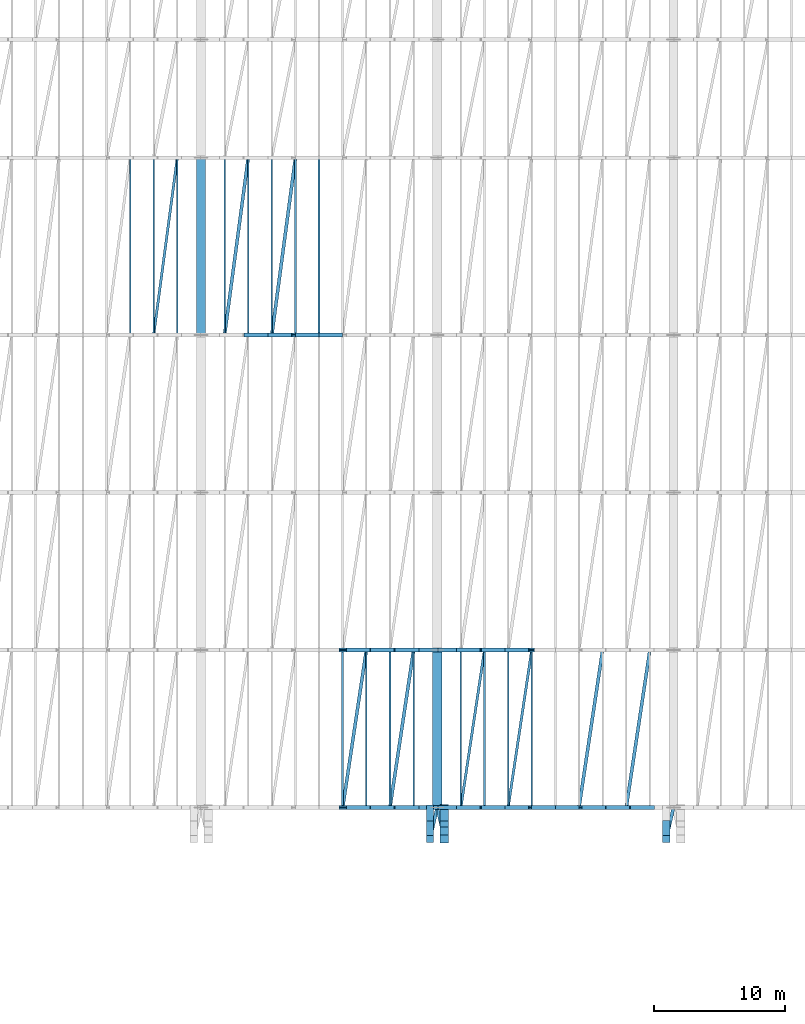
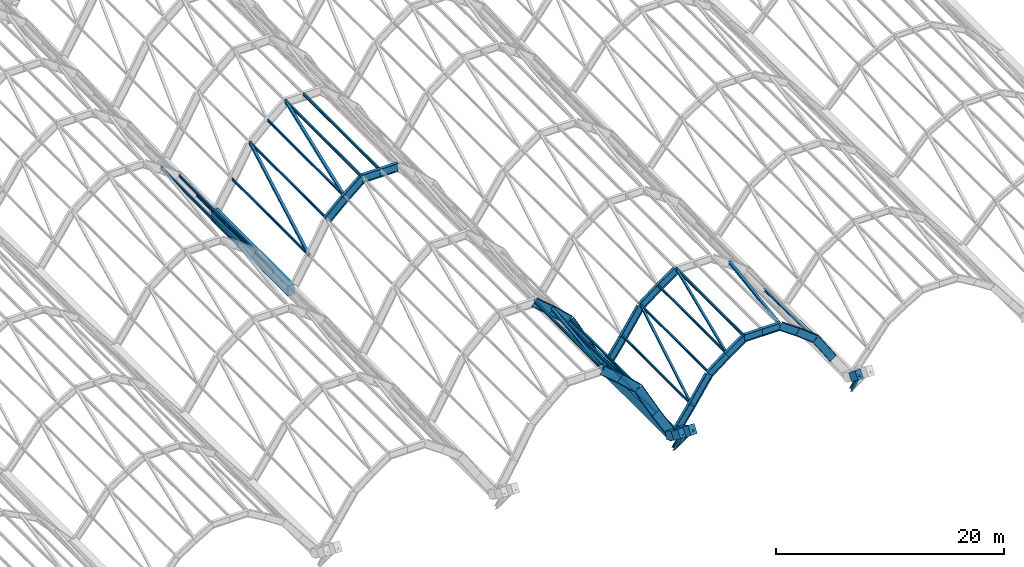
# One storey, part 12 of 86: 32 beams, 28 members.
"""IFC4 building model written with IfcOpenShell, lengths in metres."""

from ifc_helpers import new_model, si_unit, direction, frame, origin, origin_2d, place, context, subcontext, project, spatial, rectangle, i_section, extrude, material, material_profile, profile_set, type_object, element, save


model = new_model("IFC4")

# Units and contexts
model_context = context("Model", 3, precision=1e-05, world=origin(), true_north=direction((0.0, 1.0)))
body_context = subcontext(model_context, "Body", "Model", "MODEL_VIEW")
ifc_project = project(units=[si_unit("LENGTHUNIT", "METRE"), si_unit("AREAUNIT", "SQUARE_METRE"), si_unit("VOLUMEUNIT", "CUBIC_METRE"), si_unit("PLANEANGLEUNIT", "RADIAN"), si_unit("MASSUNIT", "GRAM", prefix="KILO")], contexts=[model_context])

# Site, building, storey
site_placement = place(None, origin())
site = spatial("IfcSite", under=ifc_project, at=site_placement, CompositionType="ELEMENT")
building_placement = place(site_placement, origin())
building = spatial("IfcBuilding", under=site, at=building_placement, Name="Chuanluo Vaults Station", CompositionType="ELEMENT")
storey_placement = place(building_placement, frame((0.0, 0.0, 14.39990234375)))
storey = spatial("IfcBuildingStorey", under=building, at=storey_placement, Name="L03", CompositionType="ELEMENT", Elevation=14.39990234375)

# Beams
ifc_material_1 = material(Name="Concrete C50", Category="concrete")
ifc_material_profile_1 = material_profile(ifc_material_1, rectangle(XDim=0.64990234375, YDim=0.949951171875, at=origin_2d()))
ifc_profile_set_1 = profile_set([ifc_material_profile_1], Name="Concrete C50")
beam_type_1 = type_object("IfcBeamType", Name="BM-CUSP-RC1", PredefinedType="USERDEFINED", material=ifc_profile_set_1)
beam_1_placement = place(storey_placement, frame((72.550048828125, 18.0, -0.5498046875), z_axis=(0.0, -0.872520545396, 0.488577422588), x_axis=(1.0, 0.0, 0.0)))
element("IfcBeam", 1, at=beam_1_placement, inside=storey, type_object=beam_type_1, Name="Vault V5 upturned cusp rib S-W chord 1", ObjectType="GIRDER", PredefinedType="USERDEFINED", context=body_context, shape_type="SweptSolid", body=[
    extrude(rectangle(XDim=0.64990234375, YDim=0.949951171875, at=origin_2d()), origin(), (0.0, 0.0, 1.0), 1.4326171875),
])
beam_2_placement = place(storey_placement, frame((72.550048828125, 16.75, 0.150146484375), z_axis=(0.0, -0.787512057463, 0.61629924497), x_axis=(1.0, 0.0, 0.0)))
element("IfcBeam", 2, at=beam_2_placement, inside=storey, type_object=beam_type_1, Name="Vault V5 upturned cusp rib S-W chord 2", ObjectType="GIRDER", PredefinedType="USERDEFINED", context=body_context, shape_type="SweptSolid", body=[
    extrude(rectangle(XDim=0.64990234375, YDim=0.949951171875, at=origin_2d()), origin(), (0.0, 0.0, 1.0), 1.460205078125),
])
ifc_material_2 = material(Name="Concrete C50", Category="concrete")
ifc_material_profile_2 = material_profile(ifc_material_2, rectangle(XDim=0.550048828125, YDim=0.85009765625, at=origin_2d()))
ifc_profile_set_2 = profile_set([ifc_material_profile_2], Name="Concrete C50")
beam_type_2 = type_object("IfcBeamType", Name="BM-CUSP-RC2", PredefinedType="USERDEFINED", material=ifc_profile_set_2)
beam_3_placement = place(storey_placement, frame((71.449951171875, 18.0, -0.5498046875), z_axis=(0.0, -0.872520545396, 0.488577422588), x_axis=(1.0, 0.0, 0.0)))
element("IfcBeam", 3, at=beam_3_placement, inside=storey, type_object=beam_type_2, Name="Vault V4 upturned cusp rib S-E chord 1", ObjectType="GIRDER", PredefinedType="USERDEFINED", context=body_context, shape_type="SweptSolid", body=[
    extrude(rectangle(XDim=0.550048828125, YDim=0.85009765625, at=origin_2d()), origin(), (0.0, 0.0, 1.0), 1.4326171875),
])
for number, where, z_axis, x_axis, name in (
    (4, (71.449951171875, 16.75, 0.150146484375), (0.0, -0.787512057463, 0.61629924497), (1.0, 0.0, 0.0), "Vault V4 upturned cusp rib S-E chord 2"),
    (5, (89.449951171875, 16.75, 0.150146484375), (0.0, -0.787512057463, 0.61629924497), (1.0, 0.0, 0.0), "Vault V5 upturned cusp rib S-E chord 2"),
):
    element("IfcBeam", number, at=place(storey_placement, frame(where, z_axis=z_axis, x_axis=x_axis)), inside=storey, type_object=beam_type_2, Name=name, ObjectType="GIRDER", PredefinedType="USERDEFINED", context=body_context, shape_type="SweptSolid", body=[
        extrude(rectangle(XDim=0.550048828125, YDim=0.85009765625, at=origin_2d()), origin(), (0.0, 0.0, 1.0), 1.460205078125),
    ])
ifc_material_3 = material(Name="Concrete C50", Category="concrete")
ifc_material_profile_3 = material_profile(ifc_material_3, rectangle(XDim=0.699951171875, YDim=1.10009765625, at=origin_2d()))
ifc_profile_set_3 = profile_set([ifc_material_profile_3], Name="Concrete C50")
beam_type_3 = type_object("IfcBeamType", Name="BM-VAL-RC", PredefinedType="USERDEFINED", material=ifc_profile_set_3)
beam_4_placement = place(storey_placement, frame((54.0, 54.0, -0.7998046875), z_axis=(0.0, 1.0, 0.0), x_axis=(-1.0, 0.0, 0.0)))
element("IfcBeam", 6, at=beam_4_placement, inside=storey, type_object=beam_type_3, Name="Vault springing valley beam X54-4", ObjectType="GIRDER", PredefinedType="USERDEFINED", context=body_context, shape_type="SweptSolid", body=[
    extrude(rectangle(XDim=0.699951171875, YDim=1.10009765625, at=origin_2d()), origin(), (0.0, 0.0, 1.0), 13.5),
])
beam_5_placement = place(storey_placement, frame((72.0, 18.0, -0.7998046875), z_axis=(0.0, 1.0, 0.0), x_axis=(-1.0, 0.0, 0.0)))
element("IfcBeam", 7, at=beam_5_placement, inside=storey, type_object=beam_type_3, Name="Vault springing valley beam X72-1", ObjectType="GIRDER", PredefinedType="USERDEFINED", context=body_context, shape_type="SweptSolid", body=[
    extrude(rectangle(XDim=0.699951171875, YDim=1.10009765625, at=origin_2d()), origin(), (0.0, 0.0, 1.0), 12.0),
])
ifc_material_4 = material(Name="Steel Q355C", Category="steel")
ifc_material_profile_4 = material_profile(ifc_material_4, i_section(OverallWidth=0.300048828125, OverallDepth=0.800048828125, WebThickness=0.013916015625, FlangeThickness=0.02587890625, FilletRadius=0.02392578125, at=origin_2d()))
ifc_profile_set_4 = profile_set([ifc_material_profile_4], Name="Steel Q355C")
beam_type_4 = type_object("IfcBeamType", Name="BM-VLT-800", PredefinedType="USERDEFINED", material=ifc_profile_set_4)
beam_6_placement = place(storey_placement, frame((72.0, 18.0, -0.849853515625), z_axis=(0.568880934439, 0.0, 0.822419894234), x_axis=(0.0, 1.0, 0.0)))
element("IfcBeam", 8, at=beam_6_placement, inside=storey, type_object=beam_type_4, Name="Vault V5 arch rib 1 chord 1", ObjectType="GIRDER", PredefinedType="USERDEFINED", context=body_context, shape_type="SweptSolid", body=[
    extrude(i_section(OverallWidth=0.300048828125, OverallDepth=0.800048828125, WebThickness=0.013916015625, FlangeThickness=0.02587890625, FilletRadius=0.02392578125, at=origin_2d()), origin(), (0.0, 0.0, 1.0), 3.164306640625),
])
beam_7_placement = place(storey_placement, frame((73.800048828125, 18.0, 1.75244140625), z_axis=(0.550471867992, 0.0, 0.834853713263), x_axis=(0.0, 1.0, 0.0)))
element("IfcBeam", 9, at=beam_7_placement, inside=storey, type_object=beam_type_4, Name="Vault V5 arch rib 1 chord 2", ObjectType="GIRDER", PredefinedType="USERDEFINED", context=body_context, shape_type="SweptSolid", body=[
    extrude(i_section(OverallWidth=0.300048828125, OverallDepth=0.800048828125, WebThickness=0.013916015625, FlangeThickness=0.02587890625, FilletRadius=0.02392578125, at=origin_2d()), origin(), (0.0, 0.0, 1.0), 3.27001953125),
])
beam_8_placement = place(storey_placement, frame((75.60009765625, 18.0, 4.482421875), z_axis=(0.790274889356, 0.0, 0.612752477965), x_axis=(0.0, 1.0, 0.0)))
element("IfcBeam", 10, at=beam_8_placement, inside=storey, type_object=beam_type_4, Name="Vault V5 arch rib 1 chord 3", ObjectType="GIRDER", PredefinedType="USERDEFINED", context=body_context, shape_type="SweptSolid", body=[
    extrude(i_section(OverallWidth=0.300048828125, OverallDepth=0.800048828125, WebThickness=0.013916015625, FlangeThickness=0.02587890625, FilletRadius=0.02392578125, at=origin_2d()), origin(), (0.0, 0.0, 1.0), 2.27734375),
])
beam_9_placement = place(storey_placement, frame((77.39990234375, 18.0, 5.8779296875), z_axis=(0.820907471123, 0.0, 0.571061226012), x_axis=(0.0, 1.0, 0.0)))
element("IfcBeam", 11, at=beam_9_placement, inside=storey, type_object=beam_type_4, Name="Vault V5 arch rib 1 chord 4", ObjectType="GIRDER", PredefinedType="USERDEFINED", context=body_context, shape_type="SweptSolid", body=[
    extrude(i_section(OverallWidth=0.300048828125, OverallDepth=0.800048828125, WebThickness=0.013916015625, FlangeThickness=0.02587890625, FilletRadius=0.02392578125, at=origin_2d()), origin(), (0.0, 0.0, 1.0), 2.19287109375),
])
for number, where, z_axis, x_axis, name in (
    (12, (79.199951171875, 18.0, 7.130126953125), (1.0, 0.0, 0.0), (0.0, 1.0, 0.0), "Vault V5 arch rib 1 chord 5"),
    (13, (81.0, 18.0, 7.130126953125), (1.0, 0.0, 0.0), (0.0, 1.0, 0.0), "Vault V5 arch rib 1 chord 6"),
):
    element("IfcBeam", number, at=place(storey_placement, frame(where, z_axis=z_axis, x_axis=x_axis)), inside=storey, type_object=beam_type_4, Name=name, ObjectType="GIRDER", PredefinedType="USERDEFINED", context=body_context, shape_type="SweptSolid", body=[
        extrude(i_section(OverallWidth=0.300048828125, OverallDepth=0.800048828125, WebThickness=0.013916015625, FlangeThickness=0.02587890625, FilletRadius=0.02392578125, at=origin_2d()), origin(), (0.0, 0.0, 1.0), 1.800048828125),
    ])
beam_10_placement = place(storey_placement, frame((82.800048828125, 18.0, 7.130126953125), z_axis=(0.820907471123, 0.0, -0.571061226012), x_axis=(0.0, 1.0, 0.0)))
element("IfcBeam", 14, at=beam_10_placement, inside=storey, type_object=beam_type_4, Name="Vault V5 arch rib 1 chord 7", ObjectType="GIRDER", PredefinedType="USERDEFINED", context=body_context, shape_type="SweptSolid", body=[
    extrude(i_section(OverallWidth=0.300048828125, OverallDepth=0.800048828125, WebThickness=0.013916015625, FlangeThickness=0.02587890625, FilletRadius=0.02392578125, at=origin_2d()), origin(), (0.0, 0.0, 1.0), 2.19287109375),
])
beam_11_placement = place(storey_placement, frame((84.60009765625, 18.0, 5.8779296875), z_axis=(0.790274889356, 0.0, -0.612752477965), x_axis=(0.0, 1.0, 0.0)))
element("IfcBeam", 15, at=beam_11_placement, inside=storey, type_object=beam_type_4, Name="Vault V5 arch rib 1 chord 8", ObjectType="GIRDER", PredefinedType="USERDEFINED", context=body_context, shape_type="SweptSolid", body=[
    extrude(i_section(OverallWidth=0.300048828125, OverallDepth=0.800048828125, WebThickness=0.013916015625, FlangeThickness=0.02587890625, FilletRadius=0.02392578125, at=origin_2d()), origin(), (0.0, 0.0, 1.0), 2.27734375),
])
beam_12_placement = place(storey_placement, frame((86.39990234375, 18.0, 4.482421875), z_axis=(0.550471867992, 0.0, -0.834853713263), x_axis=(0.0, 1.0, 0.0)))
element("IfcBeam", 16, at=beam_12_placement, inside=storey, type_object=beam_type_4, Name="Vault V5 arch rib 1 chord 9", ObjectType="GIRDER", PredefinedType="USERDEFINED", context=body_context, shape_type="SweptSolid", body=[
    extrude(i_section(OverallWidth=0.300048828125, OverallDepth=0.800048828125, WebThickness=0.013916015625, FlangeThickness=0.02587890625, FilletRadius=0.02392578125, at=origin_2d()), origin(), (0.0, 0.0, 1.0), 3.27001953125),
])
beam_13_placement = place(storey_placement, frame((72.0, 30.0, -0.849853515625), z_axis=(0.568880934439, 0.0, 0.822419894234), x_axis=(0.0, 1.0, 0.0)))
element("IfcBeam", 17, at=beam_13_placement, inside=storey, type_object=beam_type_4, Name="Vault V5 arch rib 2 chord 1", ObjectType="GIRDER", PredefinedType="USERDEFINED", context=body_context, shape_type="SweptSolid", body=[
    extrude(i_section(OverallWidth=0.300048828125, OverallDepth=0.800048828125, WebThickness=0.013916015625, FlangeThickness=0.02587890625, FilletRadius=0.02392578125, at=origin_2d()), origin(), (0.0, 0.0, 1.0), 3.164306640625),
])
beam_14_placement = place(storey_placement, frame((73.800048828125, 30.0, 1.75244140625), z_axis=(0.550471867992, 0.0, 0.834853713263), x_axis=(0.0, 1.0, 0.0)))
element("IfcBeam", 18, at=beam_14_placement, inside=storey, type_object=beam_type_4, Name="Vault V5 arch rib 2 chord 2", ObjectType="GIRDER", PredefinedType="USERDEFINED", context=body_context, shape_type="SweptSolid", body=[
    extrude(i_section(OverallWidth=0.300048828125, OverallDepth=0.800048828125, WebThickness=0.013916015625, FlangeThickness=0.02587890625, FilletRadius=0.02392578125, at=origin_2d()), origin(), (0.0, 0.0, 1.0), 3.27001953125),
])
beam_15_placement = place(storey_placement, frame((75.60009765625, 30.0, 4.482421875), z_axis=(0.790274889356, 0.0, 0.612752477965), x_axis=(0.0, 1.0, 0.0)))
element("IfcBeam", 19, at=beam_15_placement, inside=storey, type_object=beam_type_4, Name="Vault V5 arch rib 2 chord 3", ObjectType="GIRDER", PredefinedType="USERDEFINED", context=body_context, shape_type="SweptSolid", body=[
    extrude(i_section(OverallWidth=0.300048828125, OverallDepth=0.800048828125, WebThickness=0.013916015625, FlangeThickness=0.02587890625, FilletRadius=0.02392578125, at=origin_2d()), origin(), (0.0, 0.0, 1.0), 2.27734375),
])
beam_16_placement = place(storey_placement, frame((77.39990234375, 30.0, 5.8779296875), z_axis=(0.820907471123, 0.0, 0.571061226012), x_axis=(0.0, 1.0, 0.0)))
element("IfcBeam", 20, at=beam_16_placement, inside=storey, type_object=beam_type_4, Name="Vault V5 arch rib 2 chord 4", ObjectType="GIRDER", PredefinedType="USERDEFINED", context=body_context, shape_type="SweptSolid", body=[
    extrude(i_section(OverallWidth=0.300048828125, OverallDepth=0.800048828125, WebThickness=0.013916015625, FlangeThickness=0.02587890625, FilletRadius=0.02392578125, at=origin_2d()), origin(), (0.0, 0.0, 1.0), 2.19287109375),
])
ifc_material_5 = material(Name="Steel Q355C", Category="steel")
ifc_material_profile_5 = material_profile(ifc_material_5, i_section(OverallWidth=0.300048828125, OverallDepth=0.89990234375, WebThickness=0.01611328125, FlangeThickness=0.028076171875, FilletRadius=0.02392578125, at=origin_2d()))
ifc_profile_set_5 = profile_set([ifc_material_profile_5], Name="Steel Q355C")
beam_type_5 = type_object("IfcBeamType", Name="BM-VLT-900", PredefinedType="USERDEFINED", material=ifc_profile_set_5)
beam_17_placement = place(storey_placement, frame((64.800048828125, 18.0, 8.68017578125), z_axis=(0.76434097912, 0.0, -0.644812273176), x_axis=(0.0, 1.0, 0.0)))
element("IfcBeam", 21, at=beam_17_placement, inside=storey, type_object=beam_type_5, Name="Vault V4 arch rib 1 chord 7", ObjectType="GIRDER", PredefinedType="USERDEFINED", context=body_context, shape_type="SweptSolid", body=[
    extrude(i_section(OverallWidth=0.300048828125, OverallDepth=0.89990234375, WebThickness=0.01611328125, FlangeThickness=0.028076171875, FilletRadius=0.02392578125, at=origin_2d()), origin(), (0.0, 0.0, 1.0), 2.35498046875),
])
beam_18_placement = place(storey_placement, frame((66.60009765625, 18.0, 7.16162109375), z_axis=(0.730389392317, 0.0, -0.683030991676), x_axis=(0.0, 1.0, 0.0)))
element("IfcBeam", 22, at=beam_18_placement, inside=storey, type_object=beam_type_5, Name="Vault V4 arch rib 1 chord 8", ObjectType="GIRDER", PredefinedType="USERDEFINED", context=body_context, shape_type="SweptSolid", body=[
    extrude(i_section(OverallWidth=0.300048828125, OverallDepth=0.89990234375, WebThickness=0.01611328125, FlangeThickness=0.028076171875, FilletRadius=0.02392578125, at=origin_2d()), origin(), (0.0, 0.0, 1.0), 2.464111328125),
])
beam_19_placement = place(storey_placement, frame((68.39990234375, 18.0, 5.478515625), z_axis=(0.480856872349, 0.0, -0.876799103738), x_axis=(0.0, 1.0, 0.0)))
element("IfcBeam", 23, at=beam_19_placement, inside=storey, type_object=beam_type_5, Name="Vault V4 arch rib 1 chord 9", ObjectType="GIRDER", PredefinedType="USERDEFINED", context=body_context, shape_type="SweptSolid", body=[
    extrude(i_section(OverallWidth=0.300048828125, OverallDepth=0.89990234375, WebThickness=0.01611328125, FlangeThickness=0.028076171875, FilletRadius=0.02392578125, at=origin_2d()), origin(), (0.0, 0.0, 1.0), 3.743408203125),
])
beam_20_placement = place(storey_placement, frame((70.199951171875, 18.0, 2.1962890625), z_axis=(0.502607424266, 0.0, -0.864514763941), x_axis=(0.0, 1.0, 0.0)))
element("IfcBeam", 24, at=beam_20_placement, inside=storey, type_object=beam_type_5, Name="Vault V4 arch rib 1 chord 10", ObjectType="GIRDER", PredefinedType="USERDEFINED", context=body_context, shape_type="SweptSolid", body=[
    extrude(i_section(OverallWidth=0.300048828125, OverallDepth=0.89990234375, WebThickness=0.01611328125, FlangeThickness=0.028076171875, FilletRadius=0.02392578125, at=origin_2d()), origin(), (0.0, 0.0, 1.0), 3.58154296875),
])
beam_21_placement = place(storey_placement, frame((64.800048828125, 30.0, 8.68017578125), z_axis=(0.76434097912, 0.0, -0.644812273176), x_axis=(0.0, 1.0, 0.0)))
element("IfcBeam", 25, at=beam_21_placement, inside=storey, type_object=beam_type_5, Name="Vault V4 arch rib 2 chord 7", ObjectType="GIRDER", PredefinedType="USERDEFINED", context=body_context, shape_type="SweptSolid", body=[
    extrude(i_section(OverallWidth=0.300048828125, OverallDepth=0.89990234375, WebThickness=0.01611328125, FlangeThickness=0.028076171875, FilletRadius=0.02392578125, at=origin_2d()), origin(), (0.0, 0.0, 1.0), 2.35498046875),
])
beam_22_placement = place(storey_placement, frame((66.60009765625, 30.0, 7.16162109375), z_axis=(0.730389392317, 0.0, -0.683030991676), x_axis=(0.0, 1.0, 0.0)))
element("IfcBeam", 26, at=beam_22_placement, inside=storey, type_object=beam_type_5, Name="Vault V4 arch rib 2 chord 8", ObjectType="GIRDER", PredefinedType="USERDEFINED", context=body_context, shape_type="SweptSolid", body=[
    extrude(i_section(OverallWidth=0.300048828125, OverallDepth=0.89990234375, WebThickness=0.01611328125, FlangeThickness=0.028076171875, FilletRadius=0.02392578125, at=origin_2d()), origin(), (0.0, 0.0, 1.0), 2.464111328125),
])
beam_23_placement = place(storey_placement, frame((68.39990234375, 30.0, 5.478515625), z_axis=(0.480856872349, 0.0, -0.876799103738), x_axis=(0.0, 1.0, 0.0)))
element("IfcBeam", 27, at=beam_23_placement, inside=storey, type_object=beam_type_5, Name="Vault V4 arch rib 2 chord 9", ObjectType="GIRDER", PredefinedType="USERDEFINED", context=body_context, shape_type="SweptSolid", body=[
    extrude(i_section(OverallWidth=0.300048828125, OverallDepth=0.89990234375, WebThickness=0.01611328125, FlangeThickness=0.028076171875, FilletRadius=0.02392578125, at=origin_2d()), origin(), (0.0, 0.0, 1.0), 3.743408203125),
])
beam_24_placement = place(storey_placement, frame((70.199951171875, 30.0, 2.1962890625), z_axis=(0.502607424266, 0.0, -0.864514763941), x_axis=(0.0, 1.0, 0.0)))
element("IfcBeam", 28, at=beam_24_placement, inside=storey, type_object=beam_type_5, Name="Vault V4 arch rib 2 chord 10", ObjectType="GIRDER", PredefinedType="USERDEFINED", context=body_context, shape_type="SweptSolid", body=[
    extrude(i_section(OverallWidth=0.300048828125, OverallDepth=0.89990234375, WebThickness=0.01611328125, FlangeThickness=0.028076171875, FilletRadius=0.02392578125, at=origin_2d()), origin(), (0.0, 0.0, 1.0), 3.58154296875),
])
beam_25_placement = place(storey_placement, frame((57.60009765625, 54.0, 5.478515625), z_axis=(0.730389392317, 0.0, 0.683030991676), x_axis=(0.0, 1.0, 0.0)))
element("IfcBeam", 29, at=beam_25_placement, inside=storey, type_object=beam_type_5, Name="Vault V4 arch rib 4 chord 3", ObjectType="GIRDER", PredefinedType="USERDEFINED", context=body_context, shape_type="SweptSolid", body=[
    extrude(i_section(OverallWidth=0.300048828125, OverallDepth=0.89990234375, WebThickness=0.01611328125, FlangeThickness=0.028076171875, FilletRadius=0.02392578125, at=origin_2d()), origin(), (0.0, 0.0, 1.0), 2.464111328125),
])
beam_26_placement = place(storey_placement, frame((59.39990234375, 54.0, 7.16162109375), z_axis=(0.76434097912, 0.0, 0.644812273176), x_axis=(0.0, 1.0, 0.0)))
element("IfcBeam", 30, at=beam_26_placement, inside=storey, type_object=beam_type_5, Name="Vault V4 arch rib 4 chord 4", ObjectType="GIRDER", PredefinedType="USERDEFINED", context=body_context, shape_type="SweptSolid", body=[
    extrude(i_section(OverallWidth=0.300048828125, OverallDepth=0.89990234375, WebThickness=0.01611328125, FlangeThickness=0.028076171875, FilletRadius=0.02392578125, at=origin_2d()), origin(), (0.0, 0.0, 1.0), 2.35498046875),
])
for number, where, z_axis, x_axis, name in (
    (31, (61.199951171875, 54.0, 8.68017578125), (1.0, 0.0, 0.0), (0.0, 1.0, 0.0), "Vault V4 arch rib 4 chord 5"),
    (32, (63.0, 54.0, 8.68017578125), (1.0, 0.0, 0.0), (0.0, 1.0, 0.0), "Vault V4 arch rib 4 chord 6"),
):
    element("IfcBeam", number, at=place(storey_placement, frame(where, z_axis=z_axis, x_axis=x_axis)), inside=storey, type_object=beam_type_5, Name=name, ObjectType="GIRDER", PredefinedType="USERDEFINED", context=body_context, shape_type="SweptSolid", body=[
        extrude(i_section(OverallWidth=0.300048828125, OverallDepth=0.89990234375, WebThickness=0.01611328125, FlangeThickness=0.028076171875, FilletRadius=0.02392578125, at=origin_2d()), origin(), (0.0, 0.0, 1.0), 1.800048828125),
    ])

# Members
ifc_material_6 = material(Name="Steel Q355C", Category="steel")
ifc_material_profile_6 = material_profile(ifc_material_6, i_section(OverallWidth=0.25, OverallDepth=0.340087890625, WebThickness=0.009033203125, FlangeThickness=0.013916015625, FilletRadius=0.01611328125, at=origin_2d()))
ifc_profile_set_6 = profile_set([ifc_material_profile_6], Name="Steel Q355C")
member_type_1 = type_object("IfcMemberType", Name="MEM-CBR-340", PredefinedType="BRACE", material=ifc_profile_set_6)
for number, where, z_axis, x_axis, name in (
    (33, (72.0, 18.0, -2.25), (-0.133593569942, -0.582878292291, 0.801502123794), (0.974726021078, -0.223403634333, 0.0), "Upturned eave cusp raking prop S-X72-W"),
    (34, (72.0, 18.0, -2.25), (0.133593569942, -0.582878292291, 0.801502123794), (0.974726021078, 0.223403634333, 0.0), "Upturned eave cusp raking prop S-X72-E"),
    (35, (90.0, 18.0, -2.25), (-0.133593569942, -0.582878292291, 0.801502123794), (0.974726021078, -0.223403634333, 0.0), "Upturned eave cusp raking prop S-X90-W"),
):
    element("IfcMember", number, at=place(storey_placement, frame(where, z_axis=z_axis, x_axis=x_axis)), inside=storey, type_object=member_type_1, Name=name, PredefinedType="BRACE", context=body_context, shape_type="SweptSolid", body=[
        extrude(i_section(OverallWidth=0.25, OverallDepth=0.340087890625, WebThickness=0.009033203125, FlangeThickness=0.013916015625, FilletRadius=0.01611328125, at=origin_2d()), origin(), (0.0, 0.0, 1.0), 4.117431640625),
    ])
ifc_material_7 = material(Name="Steel Q355C", Category="steel")
ifc_material_profile_7 = material_profile(ifc_material_7, i_section(OverallWidth=0.125, OverallDepth=0.25, WebThickness=0.006103515625, FlangeThickness=0.009033203125, FilletRadius=0.011962890625, at=origin_2d()))
ifc_profile_set_7 = profile_set([ifc_material_profile_7], Name="Steel Q355C")
member_type_2 = type_object("IfcMemberType", Name="MEM-PUR-250", PredefinedType="PURLIN", material=ifc_profile_set_7)
for number, where, z_axis, x_axis, name in (
    (36, (48.60009765625, 54.0, 6.062744140625), (0.0, 1.0, 0.0), (-1.0, 0.0, 0.0), "Vault V3 purlin 4.7"),
    (37, (50.39990234375, 54.0, 4.619384765625), (0.0, 1.0, 0.0), (-1.0, 0.0, 0.0), "Vault V3 purlin 4.8"),
    (38, (52.199951171875, 54.0, 1.86962890625), (0.0, 1.0, 0.0), (-1.0, 0.0, 0.0), "Vault V3 purlin 4.9"),
):
    element("IfcMember", number, at=place(storey_placement, frame(where, z_axis=z_axis, x_axis=x_axis)), inside=storey, type_object=member_type_2, Name=name, PredefinedType="PURLIN", context=body_context, shape_type="SweptSolid", body=[
        extrude(i_section(OverallWidth=0.125, OverallDepth=0.25, WebThickness=0.006103515625, FlangeThickness=0.009033203125, FilletRadius=0.011962890625, at=origin_2d()), origin(), (0.0, 0.0, 1.0), 13.5),
    ])
for number, where, z_axis, x_axis, name in (
    (39, (66.60009765625, 18.0, 7.38720703125), (0.0, 1.0, 0.0), (-1.0, 0.0, 0.0), "Vault V4 purlin 1.7"),
    (40, (68.39990234375, 18.0, 5.642578125), (0.0, 1.0, 0.0), (-1.0, 0.0, 0.0), "Vault V4 purlin 1.8"),
    (41, (70.199951171875, 18.0, 2.3427734375), (0.0, 1.0, 0.0), (-1.0, 0.0, 0.0), "Vault V4 purlin 1.9"),
):
    element("IfcMember", number, at=place(storey_placement, frame(where, z_axis=z_axis, x_axis=x_axis)), inside=storey, type_object=member_type_2, Name=name, PredefinedType="PURLIN", context=body_context, shape_type="SweptSolid", body=[
        extrude(i_section(OverallWidth=0.125, OverallDepth=0.25, WebThickness=0.006103515625, FlangeThickness=0.009033203125, FilletRadius=0.011962890625, at=origin_2d()), origin(), (0.0, 0.0, 1.0), 12.0),
    ])
for number, where, z_axis, x_axis, name in (
    (42, (55.800048828125, 54.0, 2.3427734375), (0.0, 1.0, 0.0), (-1.0, 0.0, 0.0), "Vault V4 purlin 4.1"),
    (43, (57.60009765625, 54.0, 5.642578125), (0.0, 1.0, 0.0), (-1.0, 0.0, 0.0), "Vault V4 purlin 4.2"),
    (44, (59.39990234375, 54.0, 7.38720703125), (0.0, 1.0, 0.0), (-1.0, 0.0, 0.0), "Vault V4 purlin 4.3"),
):
    element("IfcMember", number, at=place(storey_placement, frame(where, z_axis=z_axis, x_axis=x_axis)), inside=storey, type_object=member_type_2, Name=name, PredefinedType="PURLIN", context=body_context, shape_type="SweptSolid", body=[
        extrude(i_section(OverallWidth=0.125, OverallDepth=0.25, WebThickness=0.006103515625, FlangeThickness=0.009033203125, FilletRadius=0.011962890625, at=origin_2d()), origin(), (0.0, 0.0, 1.0), 13.5),
    ])
for number, where, z_axis, x_axis, name in (
    (45, (73.800048828125, 18.0, 1.86962890625), (0.0, 1.0, 0.0), (-1.0, 0.0, 0.0), "Vault V5 purlin 1.1"),
    (46, (75.60009765625, 18.0, 4.619384765625), (0.0, 1.0, 0.0), (-1.0, 0.0, 0.0), "Vault V5 purlin 1.2"),
    (47, (77.39990234375, 18.0, 6.062744140625), (0.0, 1.0, 0.0), (-1.0, 0.0, 0.0), "Vault V5 purlin 1.3"),
):
    element("IfcMember", number, at=place(storey_placement, frame(where, z_axis=z_axis, x_axis=x_axis)), inside=storey, type_object=member_type_2, Name=name, PredefinedType="PURLIN", context=body_context, shape_type="SweptSolid", body=[
        extrude(i_section(OverallWidth=0.125, OverallDepth=0.25, WebThickness=0.006103515625, FlangeThickness=0.009033203125, FilletRadius=0.011962890625, at=origin_2d()), origin(), (0.0, 0.0, 1.0), 12.0),
    ])
ifc_material_8 = material(Name="Steel Q355C", Category="steel")
ifc_material_profile_8 = material_profile(ifc_material_8, i_section(OverallWidth=0.14990234375, OverallDepth=0.300048828125, WebThickness=0.006591796875, FlangeThickness=0.009033203125, FilletRadius=0.012939453125, at=origin_2d()))
ifc_profile_set_8 = profile_set([ifc_material_profile_8], Name="Steel Q355C")
member_type_3 = type_object("IfcMemberType", Name="MEM-PUR-300", PredefinedType="PURLIN", material=ifc_profile_set_8)
member_1_placement = place(storey_placement, frame((64.800048828125, 18.0, 8.834228515625), z_axis=(0.0, 1.0, 0.0), x_axis=(-1.0, 0.0, 0.0)))
element("IfcMember", 48, at=member_1_placement, inside=storey, type_object=member_type_3, Name="Vault V4 purlin 1.6", PredefinedType="PURLIN", context=body_context, shape_type="SweptSolid", body=[
    extrude(i_section(OverallWidth=0.14990234375, OverallDepth=0.300048828125, WebThickness=0.006591796875, FlangeThickness=0.009033203125, FilletRadius=0.012939453125, at=origin_2d()), origin(), (0.0, 0.0, 1.0), 12.0),
])
for number, where, z_axis, x_axis, name in (
    (49, (61.199951171875, 54.0, 8.834228515625), (0.0, 1.0, 0.0), (-1.0, 0.0, 0.0), "Vault V4 purlin 4.4"),
    (50, (63.0, 54.0, 8.97216796875), (0.0, 1.0, 0.0), (-1.0, 0.0, 0.0), "Vault V4 purlin 4.5"),
):
    element("IfcMember", number, at=place(storey_placement, frame(where, z_axis=z_axis, x_axis=x_axis)), inside=storey, type_object=member_type_3, Name=name, PredefinedType="PURLIN", context=body_context, shape_type="SweptSolid", body=[
        extrude(i_section(OverallWidth=0.14990234375, OverallDepth=0.300048828125, WebThickness=0.006591796875, FlangeThickness=0.009033203125, FilletRadius=0.012939453125, at=origin_2d()), origin(), (0.0, 0.0, 1.0), 13.5),
    ])
member_2_placement = place(storey_placement, frame((79.199951171875, 18.0, 7.264404296875), z_axis=(0.0, 1.0, 0.0), x_axis=(-1.0, 0.0, 0.0)))
element("IfcMember", 51, at=member_2_placement, inside=storey, type_object=member_type_3, Name="Vault V5 purlin 1.4", PredefinedType="PURLIN", context=body_context, shape_type="SweptSolid", body=[
    extrude(i_section(OverallWidth=0.14990234375, OverallDepth=0.300048828125, WebThickness=0.006591796875, FlangeThickness=0.009033203125, FilletRadius=0.012939453125, at=origin_2d()), origin(), (0.0, 0.0, 1.0), 12.0),
])
ifc_material_9 = material(Name="Steel Q355C", Category="steel")
ifc_material_profile_9 = material_profile(ifc_material_9, i_section(OverallWidth=0.199951171875, OverallDepth=0.199951171875, WebThickness=0.008056640625, FlangeThickness=0.011962890625, FilletRadius=0.012939453125, at=origin_2d()))
ifc_profile_set_9 = profile_set([ifc_material_profile_9], Name="Steel Q355C")
member_type_4 = type_object("IfcMemberType", Name="MEM-VBR-200", PredefinedType="BRACE", material=ifc_profile_set_9)
member_3_placement = place(storey_placement, frame((50.39990234375, 54.0, 4.619384765625), z_axis=(0.129553122095, 0.971622058778, -0.197905440683), x_axis=(-0.991227431004, 0.132167242636, 0.0)))
element("IfcMember", 52, at=member_3_placement, inside=storey, type_object=member_type_4, Name="Vault V3 space-frame diagonal 4.8", PredefinedType="BRACE", context=body_context, shape_type="SweptSolid", body=[
    extrude(i_section(OverallWidth=0.199951171875, OverallDepth=0.199951171875, WebThickness=0.008056640625, FlangeThickness=0.011962890625, FilletRadius=0.012939453125, at=origin_2d()), origin(), (0.0, 0.0, 1.0), 13.894287109375),
])
member_4_placement = place(storey_placement, frame((73.800048828125, 18.0, 1.86962890625), z_axis=(0.144676148211, 0.964481491504, 0.221007386043), x_axis=(-0.988935762544, 0.148344388372, 0.0)))
element("IfcMember", 53, at=member_4_placement, inside=storey, type_object=member_type_4, Name="Vault V5 space-frame diagonal 1.1", PredefinedType="BRACE", context=body_context, shape_type="SweptSolid", body=[
    extrude(i_section(OverallWidth=0.199951171875, OverallDepth=0.199951171875, WebThickness=0.008056640625, FlangeThickness=0.011962890625, FilletRadius=0.012939453125, at=origin_2d()), origin(), (0.0, 0.0, 1.0), 12.44189453125),
])
member_5_placement = place(storey_placement, frame((77.39990234375, 18.0, 6.062744140625), z_axis=(0.147622287214, 0.984121885415, 0.098548338216), x_axis=(-0.988935762544, 0.148344388372, 0.0)))
element("IfcMember", 54, at=member_5_placement, inside=storey, type_object=member_type_4, Name="Vault V5 space-frame diagonal 1.3", PredefinedType="BRACE", context=body_context, shape_type="SweptSolid", body=[
    extrude(i_section(OverallWidth=0.199951171875, OverallDepth=0.199951171875, WebThickness=0.008056640625, FlangeThickness=0.011962890625, FilletRadius=0.012939453125, at=origin_2d()), origin(), (0.0, 0.0, 1.0), 12.193603515625),
])
ifc_material_10 = material(Name="Steel Q355C", Category="steel")
ifc_material_profile_10 = material_profile(ifc_material_10, i_section(OverallWidth=0.25, OverallDepth=0.25, WebThickness=0.009033203125, FlangeThickness=0.013916015625, FilletRadius=0.01611328125, at=origin_2d()))
ifc_profile_set_10 = profile_set([ifc_material_profile_10], Name="Steel Q355C")
member_type_5 = type_object("IfcMemberType", Name="MEM-VBR-250", PredefinedType="BRACE", material=ifc_profile_set_10)
member_6_placement = place(storey_placement, frame((64.800048828125, 18.0, 8.834228515625), z_axis=(0.147300719642, 0.981978159751, -0.118411957862), x_axis=(-0.988935762544, 0.148344388372, 0.0)))
element("IfcMember", 55, at=member_6_placement, inside=storey, type_object=member_type_5, Name="Vault V4 space-frame diagonal 1.6", PredefinedType="BRACE", context=body_context, shape_type="SweptSolid", body=[
    extrude(i_section(OverallWidth=0.25, OverallDepth=0.25, WebThickness=0.009033203125, FlangeThickness=0.013916015625, FilletRadius=0.01611328125, at=origin_2d()), origin(), (0.0, 0.0, 1.0), 12.22021484375),
])
member_7_placement = place(storey_placement, frame((68.39990234375, 18.0, 5.642578125), z_axis=(0.143145822797, 0.95427959882, -0.262411357781), x_axis=(-0.988935762544, 0.148344388372, 0.0)))
element("IfcMember", 56, at=member_7_placement, inside=storey, type_object=member_type_5, Name="Vault V4 space-frame diagonal 1.8", PredefinedType="BRACE", context=body_context, shape_type="SweptSolid", body=[
    extrude(i_section(OverallWidth=0.25, OverallDepth=0.25, WebThickness=0.009033203125, FlangeThickness=0.013916015625, FilletRadius=0.01611328125, at=origin_2d()), origin(), (0.0, 0.0, 1.0), 12.574951171875),
])
member_8_placement = place(storey_placement, frame((55.800048828125, 54.0, 2.3427734375), z_axis=(0.12845082237, 0.963355035098, 0.235472848929), x_axis=(-0.991227431004, 0.132167242636, 0.0)))
element("IfcMember", 57, at=member_8_placement, inside=storey, type_object=member_type_5, Name="Vault V4 space-frame diagonal 4.1", PredefinedType="BRACE", context=body_context, shape_type="SweptSolid", body=[
    extrude(i_section(OverallWidth=0.25, OverallDepth=0.25, WebThickness=0.009033203125, FlangeThickness=0.013916015625, FilletRadius=0.01611328125, at=origin_2d()), origin(), (0.0, 0.0, 1.0), 14.013427734375),
])
member_9_placement = place(storey_placement, frame((59.39990234375, 54.0, 7.38720703125), z_axis=(0.131427526779, 0.985679712571, 0.105651831171), x_axis=(-0.991227431004, 0.132167242636, 0.0)))
element("IfcMember", 58, at=member_9_placement, inside=storey, type_object=member_type_5, Name="Vault V4 space-frame diagonal 4.3", PredefinedType="BRACE", context=body_context, shape_type="SweptSolid", body=[
    extrude(i_section(OverallWidth=0.25, OverallDepth=0.25, WebThickness=0.009033203125, FlangeThickness=0.013916015625, FilletRadius=0.01611328125, at=origin_2d()), origin(), (0.0, 0.0, 1.0), 13.696044921875),
])
member_10_placement = place(storey_placement, frame((82.800048828125, 18.0, 7.264404296875), z_axis=(0.147622287214, 0.984121885415, -0.098548338216), x_axis=(-0.988935762544, 0.148344388372, 0.0)))
element("IfcMember", 59, at=member_10_placement, inside=storey, type_object=member_type_5, Name="Vault V5 space-frame diagonal 1.6", PredefinedType="BRACE", context=body_context, shape_type="SweptSolid", body=[
    extrude(i_section(OverallWidth=0.25, OverallDepth=0.25, WebThickness=0.009033203125, FlangeThickness=0.013916015625, FilletRadius=0.01611328125, at=origin_2d()), origin(), (0.0, 0.0, 1.0), 12.193603515625),
])
member_11_placement = place(storey_placement, frame((86.39990234375, 18.0, 4.619384765625), z_axis=(0.144676148211, 0.964481491504, -0.221007386043), x_axis=(-0.988935762544, 0.148344388372, 0.0)))
element("IfcMember", 60, at=member_11_placement, inside=storey, type_object=member_type_5, Name="Vault V5 space-frame diagonal 1.8", PredefinedType="BRACE", context=body_context, shape_type="SweptSolid", body=[
    extrude(i_section(OverallWidth=0.25, OverallDepth=0.25, WebThickness=0.009033203125, FlangeThickness=0.013916015625, FilletRadius=0.01611328125, at=origin_2d()), origin(), (0.0, 0.0, 1.0), 12.44189453125),
])

save(model, "model.ifc")
